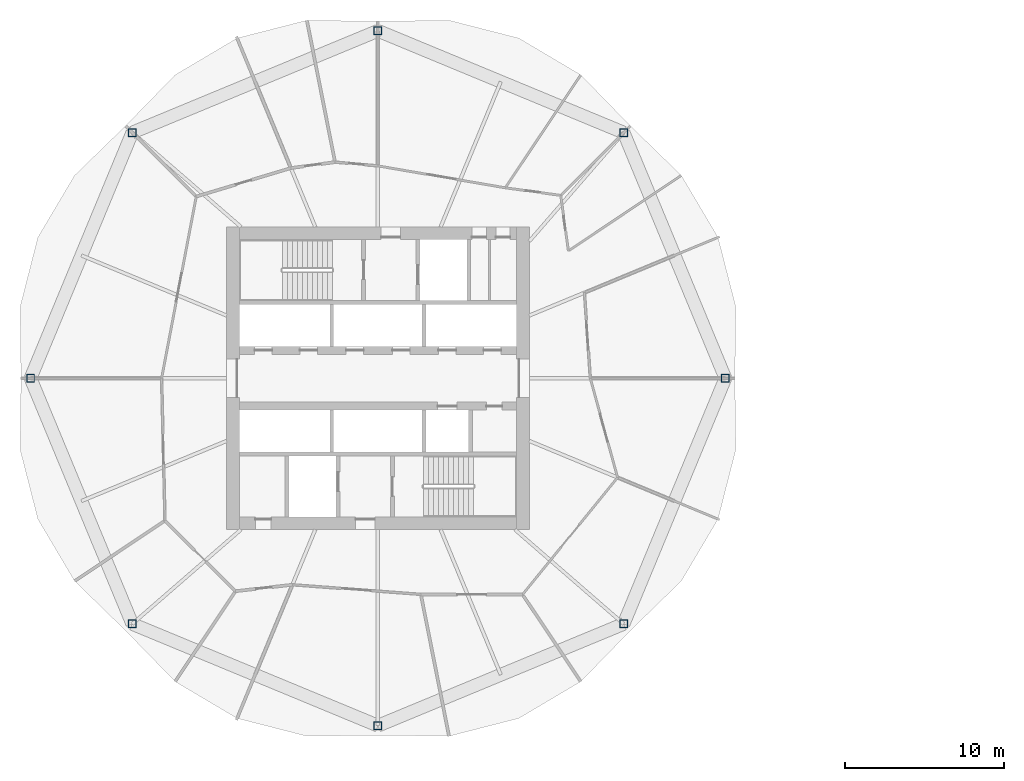
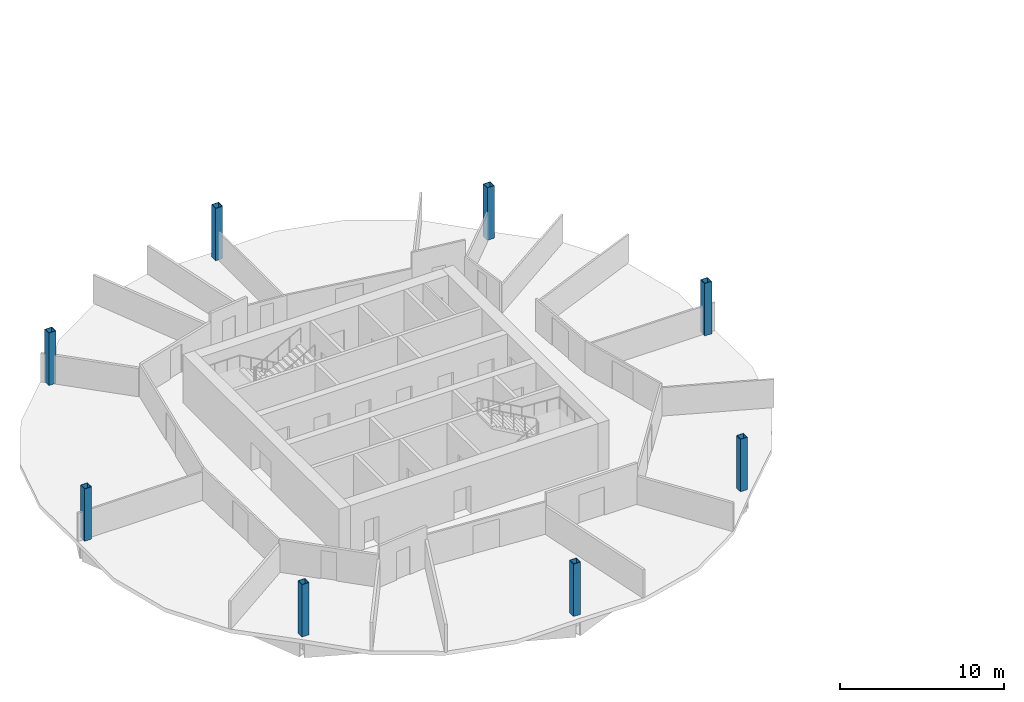
# One storey, part 1 of 9: 8 columns.
"""IFC4 building model written with IfcOpenShell, lengths in metres."""

from ifc_helpers import new_model, si_unit, direction, frame, origin, origin_2d, place, context, subcontext, project, spatial, hollow_rectangle, extrude, material, material_profile, profile_set, type_object, element, save


model = new_model("IFC4")

# Units and contexts
model_context = context("Model", 3, precision=1e-05, world=origin(), true_north=direction((0.0, 1.0)))
body_context = subcontext(model_context, "Body", "Model", "MODEL_VIEW")
ifc_project = project(units=[si_unit("LENGTHUNIT", "METRE"), si_unit("AREAUNIT", "SQUARE_METRE"), si_unit("VOLUMEUNIT", "CUBIC_METRE"), si_unit("PLANEANGLEUNIT", "RADIAN"), si_unit("MASSUNIT", "GRAM", prefix="KILO")], contexts=[model_context])

# Site, building, storey
site_placement = place(None, origin())
site = spatial("IfcSite", under=ifc_project, at=site_placement, CompositionType="ELEMENT")
building_placement = place(site_placement, origin())
building = spatial("IfcBuilding", under=site, at=building_placement, Name="Ogive Gate Towers", CompositionType="ELEMENT")
storey_placement = place(building_placement, frame((0.0, 0.0, 40.199951171875)))
storey = spatial("IfcBuildingStorey", under=building, at=storey_placement, Name="L08", CompositionType="ELEMENT", Elevation=40.199951171875)

# Columns
ifc_material = material(Name="Steel SM460", Category="steel")
ifc_material_profile = material_profile(ifc_material, hollow_rectangle(XDim=0.5, YDim=0.5, WallThickness=0.030029296875, at=origin_2d()), Name="BX 500x500x30")
ifc_profile_set = profile_set([ifc_material_profile], Name="Steel SM460")
column_type = type_object("IfcColumnType", Name="Perimeter post BX 500x500x30", PredefinedType="COLUMN", material=ifc_profile_set)
for number, where, z_axis, x_axis, name in (
    (1, (-14.18994140625, 0.0, 0.0), (0.0, 0.0, 1.0), (1.0, 0.0, 0.0), "T1/L08/SCL001"),
    (2, (-20.577880859375, 15.422119140625, 0.0), (0.0, 0.0, 1.0), (1.0, 0.0, 0.0), "T1/L08/SCL002"),
    (3, (-36.0, 21.81005859375, 0.0), (0.0, 0.0, 1.0), (1.0, 0.0, 0.0), "T1/L08/SCL003"),
    (4, (-51.422119140625, 15.422119140625, 0.0), (0.0, 0.0, 1.0), (1.0, 0.0, 0.0), "T1/L08/SCL004"),
    (5, (-57.81005859375, 0.0, 0.0), (0.0, 0.0, 1.0), (1.0, 0.0, 0.0), "T1/L08/SCL005"),
    (6, (-51.422119140625, -15.422119140625, 0.0), (0.0, 0.0, 1.0), (1.0, 0.0, 0.0), "T1/L08/SCL006"),
    (7, (-36.0, -21.81005859375, 0.0), (0.0, 0.0, 1.0), (1.0, 0.0, 0.0), "T1/L08/SCL007"),
    (8, (-20.577880859375, -15.422119140625, 0.0), (0.0, 0.0, 1.0), (1.0, 0.0, 0.0), "T1/L08/SCL008"),
):
    element("IfcColumn", number, at=place(storey_placement, frame(where, z_axis=z_axis, x_axis=x_axis)), inside=storey, type_object=column_type, Name=name, PredefinedType="COLUMN", context=body_context, shape_type="SweptSolid", body=[
        extrude(hollow_rectangle(XDim=0.5, YDim=0.5, WallThickness=0.030029296875, at=origin_2d()), origin(), (0.0, 0.0, 1.0), 3.900146484375),
    ])

save(model, "model.ifc")
